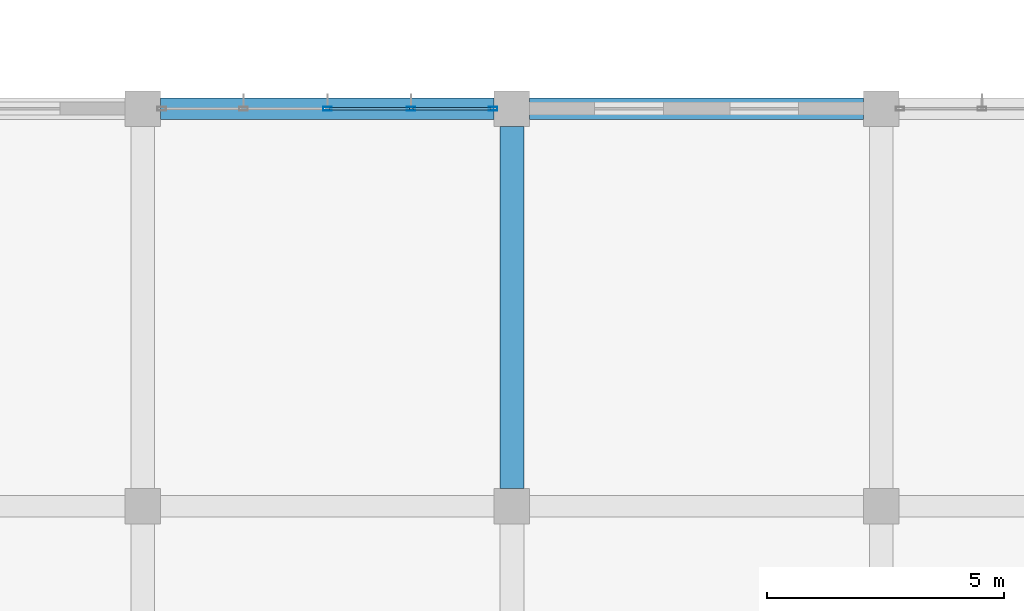
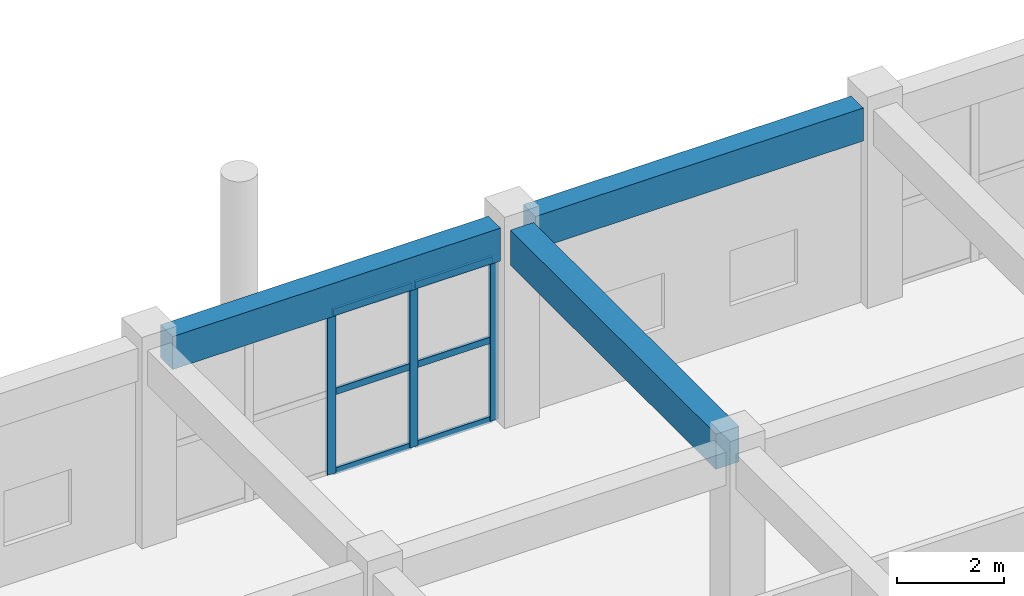
# One storey, part 123 of 175: 9 members, 3 beams, 1 element without a shape of its own.
"""IFC4 building model written with IfcOpenShell, lengths in metres."""

from ifc_helpers import new_model, si_unit, direction, frame, origin, origin_2d, place, context, subcontext, project, spatial, rectangle, hollow_rectangle, extrude, material, layer, layer_set, material_profile, profile_set, type_object, element, aggregate, save


model = new_model("IFC4")

# Units and contexts
model_context = context("Model", 3, precision=1e-05, world=origin(), true_north=direction((0.0, 1.0)))
body_context = subcontext(model_context, "Body", "Model", "MODEL_VIEW")
ifc_project = project(units=[si_unit("LENGTHUNIT", "METRE"), si_unit("AREAUNIT", "SQUARE_METRE"), si_unit("VOLUMEUNIT", "CUBIC_METRE"), si_unit("PLANEANGLEUNIT", "RADIAN"), si_unit("MASSUNIT", "GRAM", prefix="KILO")], contexts=[model_context])

# Site, building, storey
site_placement = place(None, origin())
site = spatial("IfcSite", under=ifc_project, at=site_placement, CompositionType="ELEMENT")
building_placement = place(site_placement, origin())
building = spatial("IfcBuilding", under=site, at=building_placement, Name="Zizhar Promenade General Hospital", CompositionType="ELEMENT")
storey_placement = place(building_placement, frame((0.0, 0.0, 4.800048828125)))
storey = spatial("IfcBuildingStorey", under=building, at=storey_placement, Name="L01", CompositionType="ELEMENT", Elevation=4.800048828125)

# Beams
ifc_material_1 = material(Name="Concrete C35/45", Category="concrete")
ifc_material_profile_1 = material_profile(ifc_material_1, rectangle(XDim=0.449951171875, YDim=0.75, at=origin_2d()))
ifc_profile_set_1 = profile_set([ifc_material_profile_1], Name="Concrete C35/45")
beam_type_1 = type_object("IfcBeamType", Name="BM-RC-450x750", PredefinedType="BEAM", material=ifc_profile_set_1)
beam_1_placement = place(storey_placement, frame((54.97509765625, 134.39990234375, 4.094970703125), z_axis=(1.0, 0.0, 0.0), x_axis=(0.0, 1.0, 0.0)))
element("IfcBeam", 1, at=beam_1_placement, inside=storey, type_object=beam_type_1, Name="Grid Beam X L01 (7-16)", PredefinedType="BEAM", context=body_context, shape_type="SweptSolid", body=[
    extrude(rectangle(XDim=0.449951171875, YDim=0.75, at=origin_2d()), origin(), (0.0, 0.0, 1.0), 7.0498046875),
])
beam_2_placement = place(storey_placement, frame((62.77490234375, 134.39990234375, 4.094970703125), z_axis=(1.0, 0.0, 0.0), x_axis=(0.0, 1.0, 0.0)))
element("IfcBeam", 2, at=beam_2_placement, inside=storey, type_object=beam_type_1, Name="Grid Beam X L01 (8-16)", PredefinedType="BEAM", context=body_context, shape_type="SweptSolid", body=[
    extrude(rectangle(XDim=0.449951171875, YDim=0.75, at=origin_2d()), origin(), (0.0, 0.0, 1.0), 7.050048828125),
])
ifc_material_2 = material(Name="Concrete C35/45", Category="concrete")
ifc_material_profile_2 = material_profile(ifc_material_2, rectangle(XDim=0.5, YDim=0.800048828125, at=origin_2d()))
ifc_profile_set_2 = profile_set([ifc_material_profile_2], Name="Concrete C35/45")
beam_type_2 = type_object("IfcBeamType", Name="BM-RC-500x800", PredefinedType="BEAM", material=ifc_profile_set_2)
beam_3_placement = place(storey_placement, frame((62.39990234375, 126.375, 4.070068359375), z_axis=(0.0, 1.0, 0.0), x_axis=(-1.0, 0.0, 0.0)))
element("IfcBeam", 3, at=beam_3_placement, inside=storey, type_object=beam_type_2, Name="Grid Beam Y L01 (8-15)", PredefinedType="BEAM", context=body_context, shape_type="SweptSolid", body=[
    extrude(rectangle(XDim=0.5, YDim=0.800048828125, at=origin_2d()), origin(), (0.0, 0.0, 1.0), 7.64990234375),
])

# Curtain wall, members
ifc_material_3 = material(Name="Anodised aluminium 6063-T6 and low-E glass", Category="aluminium")
ifc_layer = layer(ifc_material_3, 0.159912109375)
ifc_layer_set = layer_set([ifc_layer], Name="Anodised aluminium 6063-T6 and low-E glass")
curtain_wall_type = type_object("IfcCurtainWallType", Name="CW-DT-MOD2", PredefinedType="NOTDEFINED", material=ifc_layer_set)
curtain_wall_placement = place(storey_placement, origin())
curtain_wall = element("IfcCurtainWall", 4, at=curtain_wall_placement, inside=storey, type_object=curtain_wall_type, Name="Surgical North Glazed Curtain Wall L01-7", PredefinedType="NOTDEFINED")
ifc_material_4 = material(Name="Anodised aluminium 6063-T6", Category="aluminium")
ifc_material_profile_3 = material_profile(ifc_material_4, hollow_rectangle(XDim=0.080078125, YDim=0.179931640625, WallThickness=0.0048828125, at=origin_2d()))
ifc_profile_set_3 = profile_set([ifc_material_profile_3], Name="Anodised aluminium 6063-T6")
member_type_1 = type_object("IfcMemberType", Name="CWM-ALU-180x80", PredefinedType="MULLION", material=ifc_profile_set_3)
member_1_placement = place(storey_placement, frame((58.5, 134.39990234375, 0.0), z_axis=(0.0, 0.0, 1.0), x_axis=(0.0, 1.0, 0.0)))
member_1 = element("IfcMember", 5, at=member_1_placement, type_object=member_type_1, Name="CW-08 mullion 3", PredefinedType="MULLION", context=body_context, shape_type="SweptSolid", body=[
    extrude(hollow_rectangle(XDim=0.080078125, YDim=0.179931640625, WallThickness=0.0048828125, at=origin_2d()), origin(), (0.0, 0.0, 1.0), 3.679931640625),
])
member_2_placement = place(storey_placement, frame((60.27001953125, 134.39990234375, 0.0), z_axis=(0.0, 0.0, 1.0), x_axis=(0.0, 1.0, 0.0)))
member_2 = element("IfcMember", 6, at=member_2_placement, type_object=member_type_1, Name="CW-08 mullion 4", PredefinedType="MULLION", context=body_context, shape_type="SweptSolid", body=[
    extrude(hollow_rectangle(XDim=0.080078125, YDim=0.179931640625, WallThickness=0.0048828125, at=origin_2d()), origin(), (0.0, 0.0, 1.0), 3.679931640625),
])
member_3_placement = place(storey_placement, frame((62.0, 134.39990234375, 0.0), z_axis=(0.0, 0.0, 1.0), x_axis=(0.0, 1.0, 0.0)))
member_3 = element("IfcMember", 7, at=member_3_placement, type_object=member_type_1, Name="CW-08 mullion 5", PredefinedType="MULLION", context=body_context, shape_type="SweptSolid", body=[
    extrude(hollow_rectangle(XDim=0.080078125, YDim=0.179931640625, WallThickness=0.0048828125, at=origin_2d()), origin(), (0.0, 0.0, 1.0), 3.679931640625),
])
ifc_material_5 = material(Name="Anodised aluminium 6063-T6", Category="aluminium")
ifc_material_profile_4 = material_profile(ifc_material_5, hollow_rectangle(XDim=0.06005859375, YDim=0.14990234375, WallThickness=0.00390625, at=origin_2d()))
ifc_profile_set_4 = profile_set([ifc_material_profile_4], Name="Anodised aluminium 6063-T6")
member_type_2 = type_object("IfcMemberType", Name="CWT-ALU-150x60", PredefinedType="USERDEFINED", material=ifc_profile_set_4)
member_4_placement = place(storey_placement, frame((58.5400390625, 134.39990234375, 0.030029296875), z_axis=(1.0, 0.0, 0.0), x_axis=(0.0, 1.0, 0.0)))
member_4 = element("IfcMember", 8, at=member_4_placement, type_object=member_type_2, Name="CW-08 transom 3.1", ObjectType="TRANSOM", PredefinedType="USERDEFINED", context=body_context, shape_type="SweptSolid", body=[
    extrude(hollow_rectangle(XDim=0.06005859375, YDim=0.14990234375, WallThickness=0.00390625, at=origin_2d()), origin(), (0.0, 0.0, 1.0), 1.68994140625),
])
member_5_placement = place(storey_placement, frame((58.5400390625, 134.39990234375, 1.83984375), z_axis=(1.0, 0.0, 0.0), x_axis=(0.0, 1.0, 0.0)))
member_5 = element("IfcMember", 9, at=member_5_placement, type_object=member_type_2, Name="CW-08 transom 3.2", ObjectType="TRANSOM", PredefinedType="USERDEFINED", context=body_context, shape_type="SweptSolid", body=[
    extrude(hollow_rectangle(XDim=0.06005859375, YDim=0.14990234375, WallThickness=0.00390625, at=origin_2d()), origin(), (0.0, 0.0, 1.0), 1.68994140625),
])
member_6_placement = place(storey_placement, frame((58.5400390625, 134.39990234375, 3.64990234375), z_axis=(1.0, 0.0, 0.0), x_axis=(0.0, 1.0, 0.0)))
member_6 = element("IfcMember", 10, at=member_6_placement, type_object=member_type_2, Name="CW-08 transom 3.3", ObjectType="TRANSOM", PredefinedType="USERDEFINED", context=body_context, shape_type="SweptSolid", body=[
    extrude(hollow_rectangle(XDim=0.06005859375, YDim=0.14990234375, WallThickness=0.00390625, at=origin_2d()), origin(), (0.0, 0.0, 1.0), 1.68994140625),
])
member_7_placement = place(storey_placement, frame((60.31005859375, 134.39990234375, 0.030029296875), z_axis=(1.0, 0.0, 0.0), x_axis=(0.0, 1.0, 0.0)))
member_7 = element("IfcMember", 11, at=member_7_placement, type_object=member_type_2, Name="CW-08 transom 4.1", ObjectType="TRANSOM", PredefinedType="USERDEFINED", context=body_context, shape_type="SweptSolid", body=[
    extrude(hollow_rectangle(XDim=0.06005859375, YDim=0.14990234375, WallThickness=0.00390625, at=origin_2d()), origin(), (0.0, 0.0, 1.0), 1.64990234375),
])
member_8_placement = place(storey_placement, frame((60.31005859375, 134.39990234375, 1.83984375), z_axis=(1.0, 0.0, 0.0), x_axis=(0.0, 1.0, 0.0)))
member_8 = element("IfcMember", 12, at=member_8_placement, type_object=member_type_2, Name="CW-08 transom 4.2", ObjectType="TRANSOM", PredefinedType="USERDEFINED", context=body_context, shape_type="SweptSolid", body=[
    extrude(hollow_rectangle(XDim=0.06005859375, YDim=0.14990234375, WallThickness=0.00390625, at=origin_2d()), origin(), (0.0, 0.0, 1.0), 1.64990234375),
])
member_9_placement = place(storey_placement, frame((60.31005859375, 134.39990234375, 3.64990234375), z_axis=(1.0, 0.0, 0.0), x_axis=(0.0, 1.0, 0.0)))
member_9 = element("IfcMember", 13, at=member_9_placement, type_object=member_type_2, Name="CW-08 transom 4.3", ObjectType="TRANSOM", PredefinedType="USERDEFINED", context=body_context, shape_type="SweptSolid", body=[
    extrude(hollow_rectangle(XDim=0.06005859375, YDim=0.14990234375, WallThickness=0.00390625, at=origin_2d()), origin(), (0.0, 0.0, 1.0), 1.64990234375),
])
aggregate(curtain_wall, [member_1, member_2, member_3, member_4, member_5, member_6, member_7, member_8, member_9])

save(model, "model.ifc")
